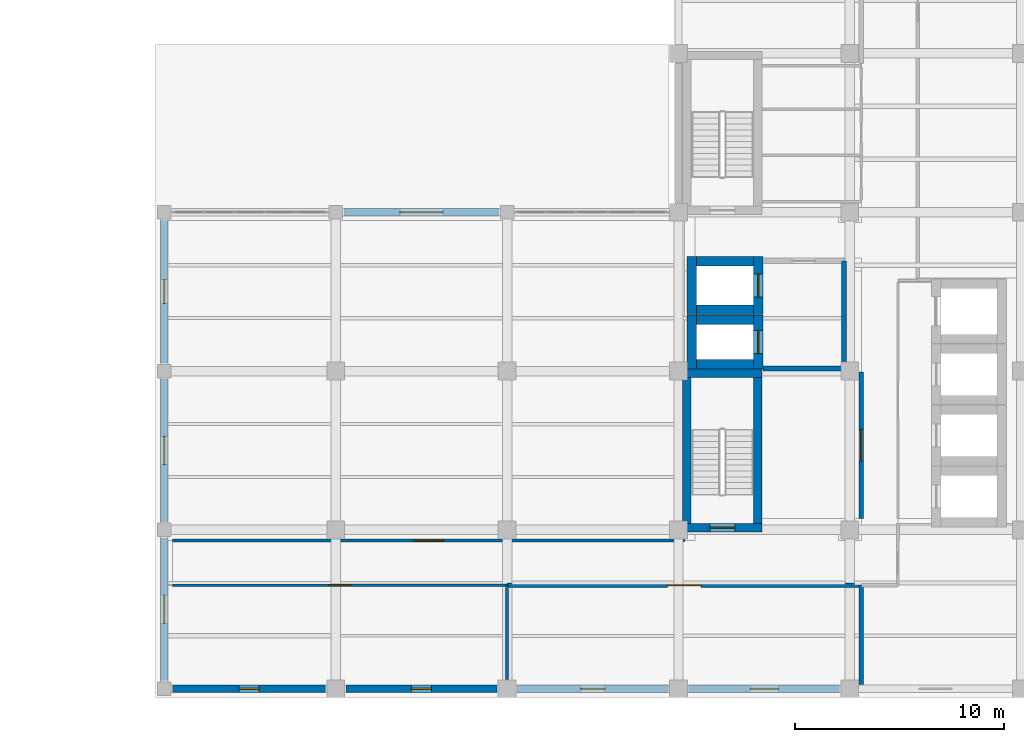
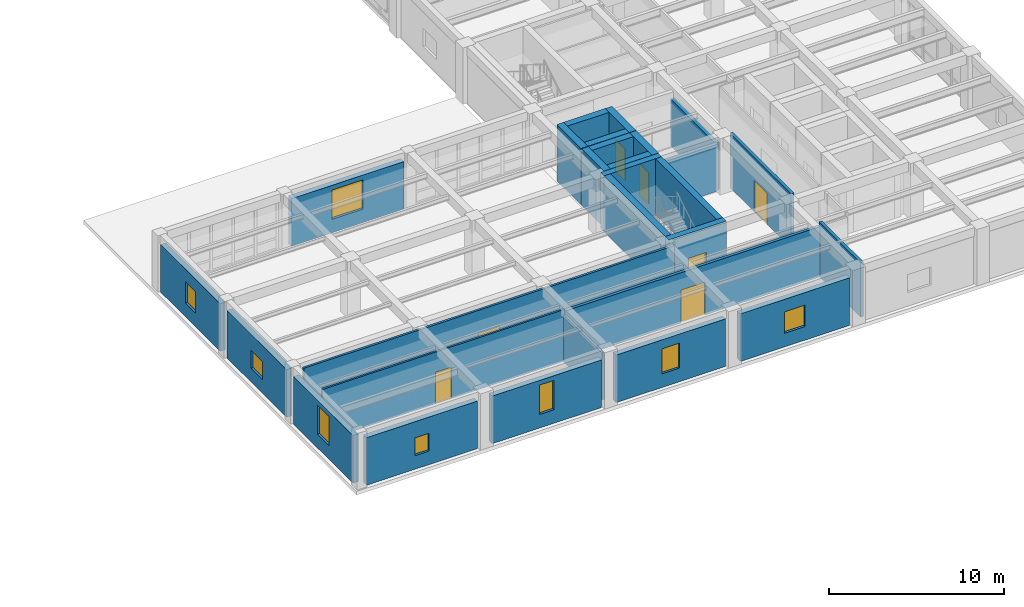
# One storey, part 11 of 22: 28 walls, 8 windows, 7 doors, 15 openings.
"""IFC4 building model written with IfcOpenShell, lengths in metres."""

import ifcopenshell
import ifcopenshell.guid

model = None  # the IFC model being written
_history = None  # IfcOwnerHistory: only IFC2X3 demands one
_inside = {}  # id of a spatial element -> (the spatial element, [elements in it])
_under = {}  # id of a project, library or spatial element -> (it, [spatial elements below it])
_declared = {}  # id of a project -> (the project, [libraries it declares])
_typed = {}  # id of a type object -> (the type object, [elements of that type])
_made_of = {}  # id of a material, layer set ... -> (it, [elements and type objects made of it])


def new_model(schema):
    """Start an empty IFC model of exactly this schema.

    Asked for "IFC4X3", IfcOpenShell would pick the latest addendum, in which some entities
    have other attributes; the version numbers below select the first issue.
    IFC2X3 requires an IfcOwnerHistory on every rooted entity: one is made here for all.
    """
    global model, _history
    if schema == "IFC4X3":
        model = ifcopenshell.file(schema_version=(4, 3, 0, 0))
    else:
        model = ifcopenshell.file(schema=schema)
    _inside.clear()
    _under.clear()
    _declared.clear()
    _typed.clear()
    _made_of.clear()
    _history = None
    if model.schema == "IFC2X3":
        org = make("IfcOrganization", Name="unknown")
        user = make(
            "IfcPersonAndOrganization",
            ThePerson=make("IfcPerson", FamilyName="unknown"),
            TheOrganization=org,
        )
        app = make(
            "IfcApplication",
            ApplicationDeveloper=org,
            Version="unknown",
            ApplicationFullName="unknown",
            ApplicationIdentifier="unknown",
        )
        _history = make(
            "IfcOwnerHistory",
            OwningUser=user,
            OwningApplication=app,
            ChangeAction="ADDED",
            CreationDate=0,
        )
    return model


def make(cls, **values):
    """One entity of the class cls with the attributes given. An attribute that is None is left unset."""
    return model.create_entity(
        cls, **{name: value for name, value in values.items() if value is not None}
    )


def rooted(cls, **values):
    """An entity with a GlobalId (a new one), such as an element, a storey or a relation."""
    return make(cls, GlobalId=ifcopenshell.guid.new(), OwnerHistory=_history, **values)


def si_unit(unit_type, name, prefix=None):
    """IfcSIUnit, for example si_unit("LENGTHUNIT", "METRE", prefix="MILLI")."""
    return make("IfcSIUnit", UnitType=unit_type, Prefix=prefix, Name=name)


def assignment(units):
    """IfcUnitAssignment: the units of a project."""
    return None if units is None else make("IfcUnitAssignment", Units=units)


def point(xyz):
    """IfcCartesianPoint."""
    return None if xyz is None else make("IfcCartesianPoint", Coordinates=xyz)


def direction(xyz):
    """IfcDirection."""
    return None if xyz is None else make("IfcDirection", DirectionRatios=xyz)


def frame(location, z_axis=None, x_axis=None):
    """IfcAxis2Placement3D, a coordinate frame: its origin and axes. An axis left out is left unset."""
    return make(
        "IfcAxis2Placement3D",
        Location=point(location),
        Axis=direction(z_axis),
        RefDirection=direction(x_axis),
    )


def frame_2d(location, x_axis=None):
    """IfcAxis2Placement2D, a coordinate frame in the plane: its origin and x axis."""
    return make(
        "IfcAxis2Placement2D", Location=point(location), RefDirection=direction(x_axis)
    )


def origin():
    """The frame at (0, 0, 0) with its axes left unset."""
    return frame((0.0, 0.0, 0.0))


def place(relative_to, where):
    """IfcLocalPlacement: puts the frame where relative to a parent placement (None: the world)."""
    return make(
        "IfcLocalPlacement", PlacementRelTo=relative_to, RelativePlacement=where
    )


def context(
    kind, dimensions, precision=None, world=None, true_north=None, identifier=None
):
    """IfcGeometricRepresentationContext, for example the 3D "Model" context."""
    return make(
        "IfcGeometricRepresentationContext",
        ContextIdentifier=identifier,
        ContextType=kind,
        CoordinateSpaceDimension=dimensions,
        Precision=precision,
        WorldCoordinateSystem=world,
        TrueNorth=true_north,
    )


def subcontext(parent, identifier, kind, view, scale=None):
    """IfcGeometricRepresentationSubContext, for example "Body" below "Model"."""
    return make(
        "IfcGeometricRepresentationSubContext",
        ContextIdentifier=identifier,
        ContextType=kind,
        ParentContext=parent,
        TargetScale=scale,
        TargetView=view,
    )


def project(units=None, contexts=None):
    """IfcProject with its units and contexts."""
    return rooted(
        "IfcProject",
        Name="project",
        RepresentationContexts=contexts,
        UnitsInContext=assignment(units),
    )


def spatial(cls, under=None, at=None, **own):
    """A site, building, storey or space (cls), placed at a placement, below another one or the project."""
    s = rooted(cls, ObjectPlacement=at, **own)
    if under is not None:
        _under.setdefault(under.id(), (under, []))[1].append(s)
    return s


def profile(cls, at=None, kind="AREA", **sizes):
    """A parametric profile (cls). Its sizes go by their IFC names, for example OverallWidth=200.0."""
    return make(cls, ProfileType=kind, Position=at, **sizes)


def rectangle(**sizes):
    """IfcRectangleProfileDef."""
    return profile("IfcRectangleProfileDef", **sizes)


def extrude(swept, where, along, depth):
    """IfcExtrudedAreaSolid: the profile swept, set in the frame where, extruded along a direction by depth."""
    return make(
        "IfcExtrudedAreaSolid",
        SweptArea=swept,
        Position=where,
        ExtrudedDirection=direction(along),
        Depth=depth,
    )


def shape(context_of_items, identifier, shape_type, items):
    """IfcShapeRepresentation: the items that make up one representation, for example the "Body"."""
    return make(
        "IfcShapeRepresentation",
        ContextOfItems=context_of_items,
        RepresentationIdentifier=identifier,
        RepresentationType=shape_type,
        Items=items,
    )


def material(Name=None, Category=None):
    """IfcMaterial."""
    return make("IfcMaterial", Name=Name, Category=Category)


def layer(
    of_material, thickness, ventilated=None, Name=None, Category=None, Priority=None
):
    """IfcMaterialLayer: one layer of a wall or slab, of a material (None: an air gap)."""
    return make(
        "IfcMaterialLayer",
        Material=of_material,
        LayerThickness=thickness,
        IsVentilated=ventilated,
        Name=Name,
        Category=Category,
        Priority=Priority,
    )


def layer_set(layers, Name=None):
    """IfcMaterialLayerSet."""
    return make("IfcMaterialLayerSet", MaterialLayers=layers, LayerSetName=Name)


def made_of(thing, what):
    """Note that an element or type object is made of a material, layer set ...; save() writes the relation."""
    if what is not None:
        _made_of.setdefault(what.id(), (what, []))[1].append(thing)
    return thing


def type_object(cls, material=None, **own):
    """A type object (cls), such as IfcWallType, which elements share."""
    return made_of(rooted(cls, **own), material)


def element(
    cls,
    number,
    at=None,
    inside=None,
    cuts=None,
    type_object=None,
    material=None,
    context=None,
    identifier="Body",
    shape_type=None,
    held_by="IfcProductDefinitionShape",
    body=None,
    shapes=None,
    **own,
):
    """One element of the class cls, such as IfcWall. Its Tag is "e" and its number.

    at: its placement. inside: the storey or other place that contains it. cuts: it is an
    opening in that element (IfcRelVoidsElement). A single representation is given by context,
    identifier, shape_type and body (its items); several are given by shapes. held_by: the class
    of the entity that holds the representations. save() writes the other relations.
    """
    e = rooted(cls, Tag="e%d" % number, ObjectPlacement=at, **own)
    if body is not None:
        shapes = [shape(context, identifier, shape_type, body)]
    if shapes is not None:
        e.Representation = make(held_by, Representations=shapes)
    if inside is not None:
        _inside.setdefault(inside.id(), (inside, []))[1].append(e)
    if cuts is not None:
        rooted(
            "IfcRelVoidsElement", RelatingBuildingElement=cuts, RelatedOpeningElement=e
        )
    if type_object is not None:
        _typed.setdefault(type_object.id(), (type_object, []))[1].append(e)
    return made_of(e, material)


def fill(opening, filler):
    """IfcRelFillsElement: the door or window that sits in an opening."""
    return rooted(
        "IfcRelFillsElement",
        RelatingOpeningElement=opening,
        RelatedBuildingElement=filler,
    )


def aggregate(whole, parts):
    """IfcRelAggregates: a whole, such as a stair, and the parts it consists of."""
    return rooted("IfcRelAggregates", RelatingObject=whole, RelatedObjects=parts)


def save(model, path):
    """Write the relations noted so far, then the file.

    IfcRelAggregates (storeys below a building ...), IfcRelContainedInSpatialStructure (elements
    in a storey), IfcRelDefinesByType, IfcRelAssociatesMaterial and IfcRelDeclares: one each for
    every whole, place, type object, material and project.
    """
    for whole, parts in _under.values():
        aggregate(whole, parts)
    for where, things in _inside.values():
        rooted(
            "IfcRelContainedInSpatialStructure",
            RelatedElements=things,
            RelatingStructure=where,
        )
    for kind, things in _typed.values():
        rooted("IfcRelDefinesByType", RelatedObjects=things, RelatingType=kind)
    for what, things in _made_of.values():
        rooted("IfcRelAssociatesMaterial", RelatedObjects=things, RelatingMaterial=what)
    for by, libraries in _declared.values():
        rooted("IfcRelDeclares", RelatingContext=by, RelatedDefinitions=libraries)
    model.write(path)


model = new_model("IFC4")

# Units and contexts
model_context = context("Model", 3, precision=1e-05, world=origin(), true_north=direction((0.0, 1.0)))
body_context = subcontext(model_context, "Body", "Model", "MODEL_VIEW")
ifc_project = project(units=[si_unit("LENGTHUNIT", "METRE"), si_unit("AREAUNIT", "SQUARE_METRE"), si_unit("VOLUMEUNIT", "CUBIC_METRE"), si_unit("PLANEANGLEUNIT", "RADIAN"), si_unit("MASSUNIT", "GRAM", prefix="KILO")], contexts=[model_context])

# Site, building, storey
site_placement = place(None, origin())
site = spatial("IfcSite", under=ifc_project, at=site_placement, CompositionType="ELEMENT")
building_placement = place(site_placement, origin())
building = spatial("IfcBuilding", under=site, at=building_placement, Name="Qandaris Square Conservatory and Botanical Centre", CompositionType="ELEMENT")
storey_placement = place(building_placement, frame((0.0, 0.0, 19.800048828125)))
storey = spatial("IfcBuildingStorey", under=building, at=storey_placement, Name="L04", CompositionType="ELEMENT", Elevation=19.800048828125)

# Wall, opening, door
ifc_material_1 = material(Name="Gypsum Plasterboard", Category="gypsum")
ifc_layer_1 = layer(ifc_material_1, 0.14990234375)
ifc_layer_set_1 = layer_set([ifc_layer_1], Name="Gypsum Plasterboard")
wall_type_1 = type_object("IfcWallType", Name="Acoustic Laboratory Partition 150mm", PredefinedType="PARTITIONING", material=ifc_layer_set_1)
wall_1_placement = place(storey_placement, frame((115.0, 23.699951171875, 0.0), z_axis=(0.0, 0.0, 1.0), x_axis=(1.0, 0.0, 0.0)))
wall_1 = element("IfcWall", 1, at=wall_1_placement, inside=storey, type_object=wall_type_1, Name="Interior Partition IW-L04-0207", PredefinedType="PARTITIONING", context=body_context, shape_type="SweptSolid", body=[
    extrude(rectangle(XDim=24.5, YDim=0.14990234375, at=frame_2d((12.25, 0.0))), origin(), (0.0, 0.0, 1.0), 3.804931640625),
])
opening_1_placement = place(wall_1_placement, frame((11.550048828125, 0.0, 0.0)))
opening_1 = element("IfcOpeningElement", 2, at=opening_1_placement, cuts=wall_1, Name="Opening D-LAB1", PredefinedType="OPENING", context=body_context, shape_type="SweptSolid", body=[
    extrude(rectangle(XDim=1.39990234375, YDim=2.199951171875, at=frame_2d((0.699951171875, 1.10009765625))), frame((0.0, 0.0869140625, 0.0), z_axis=(0.0, -1.0, 0.0), x_axis=(1.0, 0.0, 0.0)), (0.0, 0.0, 1.0), 0.173828125),
])
ifc_material_2 = material(Name="Engineered Oak Timber", Category="wood")
door_type_1 = type_object("IfcDoorType", Name="Research Laboratory Leaf-and-Half Door 1400x2200", OperationType="DOUBLE_DOOR_SINGLE_SWING", PredefinedType="DOOR", material=ifc_material_2)
door_1_placement = place(opening_1_placement, frame((1.39990234375, 0.0, 0.0), z_axis=(0.0, 0.0, 1.0), x_axis=(-1.0, 0.0, 0.0)))
door_1 = element("IfcDoor", 3, at=door_1_placement, inside=storey, type_object=door_type_1, Name="DR-0179 Spore Viability Research Laboratory Door", OperationType="DOUBLE_DOOR_SINGLE_SWING", OverallHeight=2.199951171875, OverallWidth=1.39990234375, PredefinedType="DOOR", context=body_context, shape_type="SweptSolid", body=[
    extrude(rectangle(XDim=1.39990234375, YDim=2.199951171875, at=frame_2d((0.699951171875, 1.10009765625))), frame((0.0, 0.02490234375, 0.0), z_axis=(0.0, -1.0, 0.0), x_axis=(1.0, 0.0, 0.0)), (0.0, 0.0, 1.0), 0.050048828125),
])
fill(opening_1, door_1)

# Wall
wall_2_placement = place(storey_placement, frame((131.0, 21.550048828125, 0.0), z_axis=(0.0, 0.0, 1.0), x_axis=(0.0, -1.0, 0.0)))
element("IfcWall", 4, at=wall_2_placement, inside=storey, type_object=wall_type_1, Name="Interior Partition IW-L04-0208", PredefinedType="PARTITIONING", context=body_context, shape_type="SweptSolid", body=[
    extrude(rectangle(XDim=4.505126953125, YDim=0.14990234375, at=frame_2d((2.25244140625, 0.0))), origin(), (0.0, 0.0, 1.0), 3.27490234375),
])

# Wall, opening, window
ifc_material_3 = material(Name="Precast concrete C40/50", Category="concrete")
ifc_layer_2 = layer(ifc_material_3, 0.360107421875)
ifc_layer_set_2 = layer_set([ifc_layer_2], Name="Precast concrete C40/50")
wall_type_2 = type_object("IfcWallType", Name="Architectural Precast Cladding Wall 360mm", PredefinedType="SOLIDWALL", material=ifc_layer_set_2)
wall_3_placement = place(storey_placement, frame((114.985107421875, 16.60009765625, 0.0), z_axis=(0.0, 0.0, 1.0), x_axis=(1.0, 0.0, 0.0)))
wall_3 = element("IfcWall", 5, at=wall_3_placement, inside=storey, type_object=wall_type_2, Name="Exterior Wall EW-TWR-L04-1-1", PredefinedType="SOLIDWALL", context=body_context, shape_type="SweptSolid", body=[
    extrude(rectangle(XDim=7.329833984375, YDim=0.360107421875, at=frame_2d((3.6650390625, 0.0))), origin(), (0.0, 0.0, 1.0), 3.324951171875),
])
opening_2_placement = place(wall_3_placement, frame((3.18994140625, 0.0, 0.949951171875)))
opening_2 = element("IfcOpeningElement", 6, at=opening_2_placement, cuts=wall_3, Name="Opening WN-13", PredefinedType="OPENING", context=body_context, shape_type="SweptSolid", body=[
    extrude(rectangle(XDim=0.949951171875, YDim=1.25, at=frame_2d((0.47509765625, 0.625))), frame((0.0, 0.19189453125, 0.0), z_axis=(0.0, -1.0, 0.0), x_axis=(1.0, 0.0, 0.0)), (0.0, 0.0, 1.0), 0.384033203125),
])
ifc_material_4 = material(Name="Tempered Low-E Glass", Category="glass")
window_type_1 = type_object("IfcWindowType", Name="Solar Control Window 950x1250", PartitioningType="SINGLE_PANEL", PredefinedType="WINDOW", material=ifc_material_4)
window_1_placement = place(opening_2_placement, origin())
window_1 = element("IfcWindow", 7, at=window_1_placement, inside=storey, type_object=window_type_1, Name="Window EW-TWR-L04-1-1", OverallHeight=1.25, OverallWidth=0.949951171875, PartitioningType="SINGLE_PANEL", PredefinedType="WINDOW", context=body_context, shape_type="SweptSolid", body=[
    extrude(rectangle(XDim=0.949951171875, YDim=1.25, at=frame_2d((0.47509765625, 0.625))), frame((0.0, 0.030029296875, 0.0), z_axis=(0.0, -1.0, 0.0), x_axis=(1.0, 0.0, 0.0)), (0.0, 0.0, 1.0), 0.06005859375),
])
fill(opening_2, window_1)

wall_4_placement = place(storey_placement, frame((123.284912109375, 16.60009765625, 0.0), z_axis=(0.0, 0.0, 1.0), x_axis=(1.0, 0.0, 0.0)))
wall_4 = element("IfcWall", 8, at=wall_4_placement, inside=storey, type_object=wall_type_2, Name="Exterior Wall EW-TWR-L04-1-2", PredefinedType="SOLIDWALL", context=body_context, shape_type="SweptSolid", body=[
    extrude(rectangle(XDim=7.22998046875, YDim=0.360107421875, at=frame_2d((3.614990234375, 0.0))), origin(), (0.0, 0.0, 1.0), 3.324951171875),
])
opening_3_placement = place(wall_4_placement, frame((3.139892578125, 0.0, 0.949951171875)))
opening_3 = element("IfcOpeningElement", 9, at=opening_3_placement, cuts=wall_4, Name="Opening WN-16", PredefinedType="OPENING", context=body_context, shape_type="SweptSolid", body=[
    extrude(rectangle(XDim=0.949951171875, YDim=2.050048828125, at=frame_2d((0.47509765625, 1.02490234375))), frame((0.0, 0.19189453125, 0.0), z_axis=(0.0, -1.0, 0.0), x_axis=(1.0, 0.0, 0.0)), (0.0, 0.0, 1.0), 0.384033203125),
])
window_type_2 = type_object("IfcWindowType", Name="Solar Control Window 950x2050", PartitioningType="SINGLE_PANEL", PredefinedType="WINDOW", material=ifc_material_4)
window_2_placement = place(opening_3_placement, origin())
window_2 = element("IfcWindow", 10, at=window_2_placement, inside=storey, type_object=window_type_2, Name="Window EW-TWR-L04-1-2", OverallHeight=2.050048828125, OverallWidth=0.949951171875, PartitioningType="SINGLE_PANEL", PredefinedType="WINDOW", context=body_context, shape_type="SweptSolid", body=[
    extrude(rectangle(XDim=0.949951171875, YDim=2.050048828125, at=frame_2d((0.47509765625, 1.02490234375))), frame((0.0, 0.030029296875, 0.0), z_axis=(0.0, -1.0, 0.0), x_axis=(1.0, 0.0, 0.0)), (0.0, 0.0, 1.0), 0.06005859375),
])
fill(opening_3, window_2)

wall_5_placement = place(storey_placement, frame((131.485107421875, 16.60009765625, 0.0), z_axis=(0.0, 0.0, 1.0), x_axis=(1.0, 0.0, 0.0)))
wall_5 = element("IfcWall", 11, at=wall_5_placement, inside=storey, type_object=wall_type_2, Name="Exterior Wall EW-TWR-L04-1-3", PredefinedType="SOLIDWALL", context=body_context, shape_type="SweptSolid", body=[
    extrude(rectangle(XDim=7.22998046875, YDim=0.360107421875, at=frame_2d((3.614990234375, 0.0))), origin(), (0.0, 0.0, 1.0), 3.324951171875),
])
opening_4_placement = place(wall_5_placement, frame((3.0400390625, 0.0, 0.949951171875)))
opening_4 = element("IfcOpeningElement", 12, at=opening_4_placement, cuts=wall_5, Name="Opening WN-19", PredefinedType="OPENING", context=body_context, shape_type="SweptSolid", body=[
    extrude(rectangle(XDim=1.14990234375, YDim=1.75, at=frame_2d((0.574951171875, 0.875))), frame((0.0, 0.19189453125, 0.0), z_axis=(0.0, -1.0, 0.0), x_axis=(1.0, 0.0, 0.0)), (0.0, 0.0, 1.0), 0.384033203125),
])
window_type_3 = type_object("IfcWindowType", Name="Solar Control Window 1150x1750", PartitioningType="SINGLE_PANEL", PredefinedType="WINDOW", material=ifc_material_4)
window_3_placement = place(opening_4_placement, origin())
window_3 = element("IfcWindow", 13, at=window_3_placement, inside=storey, type_object=window_type_3, Name="Window EW-TWR-L04-1-3", OverallHeight=1.75, OverallWidth=1.14990234375, PartitioningType="SINGLE_PANEL", PredefinedType="WINDOW", context=body_context, shape_type="SweptSolid", body=[
    extrude(rectangle(XDim=1.14990234375, YDim=1.75, at=frame_2d((0.574951171875, 0.875))), frame((0.0, 0.030029296875, 0.0), z_axis=(0.0, -1.0, 0.0), x_axis=(1.0, 0.0, 0.0)), (0.0, 0.0, 1.0), 0.06005859375),
])
fill(opening_4, window_3)

wall_6_placement = place(storey_placement, frame((139.68505859375, 16.60009765625, 0.0), z_axis=(0.0, 0.0, 1.0), x_axis=(1.0, 0.0, 0.0)))
wall_6 = element("IfcWall", 14, at=wall_6_placement, inside=storey, type_object=wall_type_2, Name="Exterior Wall EW-TWR-L04-1-4", PredefinedType="SOLIDWALL", context=body_context, shape_type="SweptSolid", body=[
    extrude(rectangle(XDim=7.22998046875, YDim=0.360107421875, at=frame_2d((3.614990234375, 0.0))), origin(), (0.0, 0.0, 1.0), 3.324951171875),
])
opening_5_placement = place(wall_6_placement, frame((2.93994140625, 0.0, 0.949951171875)))
opening_5 = element("IfcOpeningElement", 15, at=opening_5_placement, cuts=wall_6, Name="Opening WN-22", PredefinedType="OPENING", context=body_context, shape_type="SweptSolid", body=[
    extrude(rectangle(XDim=1.35009765625, YDim=1.5, at=frame_2d((0.675048828125, 0.75))), frame((0.0, 0.19189453125, 0.0), z_axis=(0.0, -1.0, 0.0), x_axis=(1.0, 0.0, 0.0)), (0.0, 0.0, 1.0), 0.384033203125),
])
window_type_4 = type_object("IfcWindowType", Name="Solar Control Window 1350x1500", PartitioningType="SINGLE_PANEL", PredefinedType="WINDOW", material=ifc_material_4)
window_4_placement = place(opening_5_placement, origin())
window_4 = element("IfcWindow", 16, at=window_4_placement, inside=storey, type_object=window_type_4, Name="Window EW-TWR-L04-1-4", OverallHeight=1.5, OverallWidth=1.35009765625, PartitioningType="SINGLE_PANEL", PredefinedType="WINDOW", context=body_context, shape_type="SweptSolid", body=[
    extrude(rectangle(XDim=1.35009765625, YDim=1.5, at=frame_2d((0.675048828125, 0.75))), frame((0.0, 0.030029296875, 0.0), z_axis=(0.0, -1.0, 0.0), x_axis=(1.0, 0.0, 0.0)), (0.0, 0.0, 1.0), 0.06005859375),
])
fill(opening_5, window_4)

wall_7_placement = place(storey_placement, frame((130.614990234375, 39.39990234375, 0.0), z_axis=(0.0, 0.0, 1.0), x_axis=(-1.0, 0.0, 0.0)))
wall_7 = element("IfcWall", 17, at=wall_7_placement, inside=storey, type_object=wall_type_2, Name="Exterior Wall EW-TWR-L04-5-2", PredefinedType="SOLIDWALL", context=body_context, shape_type="SweptSolid", body=[
    extrude(rectangle(XDim=7.429931640625, YDim=0.360107421875, at=frame_2d((3.71484375, 0.0))), origin(), (0.0, 0.0, 1.0), 3.324951171875),
])
opening_6_placement = place(wall_7_placement, frame((2.68994140625, 0.0, 0.949951171875)))
opening_6 = element("IfcOpeningElement", 18, at=opening_6_placement, cuts=wall_7, Name="Opening WN-36", PredefinedType="OPENING", context=body_context, shape_type="SweptSolid", body=[
    extrude(rectangle(XDim=2.050048828125, YDim=2.050048828125, at=frame_2d((1.02490234375, 1.02490234375))), frame((0.0, 0.19189453125, 0.0), z_axis=(0.0, -1.0, 0.0), x_axis=(1.0, 0.0, 0.0)), (0.0, 0.0, 1.0), 0.384033203125),
])
window_type_5 = type_object("IfcWindowType", Name="Solar Control Window 2050x2050", PartitioningType="DOUBLE_PANEL_VERTICAL", PredefinedType="WINDOW", material=ifc_material_4)
window_5_placement = place(opening_6_placement, origin())
window_5 = element("IfcWindow", 19, at=window_5_placement, inside=storey, type_object=window_type_5, Name="Window EW-TWR-L04-5-2", OverallHeight=2.050048828125, OverallWidth=2.050048828125, PartitioningType="DOUBLE_PANEL_VERTICAL", PredefinedType="WINDOW", context=body_context, shape_type="SweptSolid", body=[
    extrude(rectangle(XDim=2.050048828125, YDim=2.050048828125, at=frame_2d((1.02490234375, 1.02490234375))), frame((0.0, 0.030029296875, 0.0), z_axis=(0.0, -1.0, 0.0), x_axis=(1.0, 0.0, 0.0)), (0.0, 0.0, 1.0), 0.06005859375),
])
fill(opening_6, window_5)

wall_8_placement = place(storey_placement, frame((114.60009765625, 39.014892578125, 0.0), z_axis=(0.0, 0.0, 1.0), x_axis=(0.0, -1.0, 0.0)))
wall_8 = element("IfcWall", 20, at=wall_8_placement, inside=storey, type_object=wall_type_2, Name="Exterior Wall EW-TWR-L04-6-1", PredefinedType="SOLIDWALL", context=body_context, shape_type="SweptSolid", body=[
    extrude(rectangle(XDim=6.829833984375, YDim=0.360107421875, at=frame_2d((3.4150390625, 0.0))), origin(), (0.0, 0.0, 1.0), 3.324951171875),
])
opening_7_placement = place(wall_8_placement, frame((2.840087890625, 0.0, 0.949951171875)))
opening_7 = element("IfcOpeningElement", 21, at=opening_7_placement, cuts=wall_8, Name="Opening WN-18", PredefinedType="OPENING", context=body_context, shape_type="SweptSolid", body=[
    extrude(rectangle(XDim=1.14990234375, YDim=1.5, at=frame_2d((0.574951171875, 0.75))), frame((0.0, 0.19189453125, 0.0), z_axis=(0.0, -1.0, 0.0), x_axis=(1.0, 0.0, 0.0)), (0.0, 0.0, 1.0), 0.384033203125),
])
window_type_6 = type_object("IfcWindowType", Name="Solar Control Window 1150x1500", PartitioningType="SINGLE_PANEL", PredefinedType="WINDOW", material=ifc_material_4)
window_6_placement = place(opening_7_placement, origin())
window_6 = element("IfcWindow", 22, at=window_6_placement, inside=storey, type_object=window_type_6, Name="Window EW-TWR-L04-6-1", OverallHeight=1.5, OverallWidth=1.14990234375, PartitioningType="SINGLE_PANEL", PredefinedType="WINDOW", context=body_context, shape_type="SweptSolid", body=[
    extrude(rectangle(XDim=1.14990234375, YDim=1.5, at=frame_2d((0.574951171875, 0.75))), frame((0.0, 0.030029296875, 0.0), z_axis=(0.0, -1.0, 0.0), x_axis=(1.0, 0.0, 0.0)), (0.0, 0.0, 1.0), 0.06005859375),
])
fill(opening_7, window_6)

wall_9_placement = place(storey_placement, frame((114.60009765625, 31.4150390625, 0.0), z_axis=(0.0, 0.0, 1.0), x_axis=(0.0, -1.0, 0.0)))
wall_9 = element("IfcWall", 23, at=wall_9_placement, inside=storey, type_object=wall_type_2, Name="Exterior Wall EW-TWR-L04-6-2", PredefinedType="SOLIDWALL", context=body_context, shape_type="SweptSolid", body=[
    extrude(rectangle(XDim=6.830078125, YDim=0.360107421875, at=frame_2d((3.4150390625, 0.0))), origin(), (0.0, 0.0, 1.0), 3.324951171875),
])
opening_8_placement = place(wall_9_placement, frame((2.739990234375, 0.0, 0.949951171875)))
opening_8 = element("IfcOpeningElement", 24, at=opening_8_placement, cuts=wall_9, Name="Opening WN-21", PredefinedType="OPENING", context=body_context, shape_type="SweptSolid", body=[
    extrude(rectangle(XDim=1.35009765625, YDim=1.25, at=frame_2d((0.675048828125, 0.625))), frame((0.0, 0.19189453125, 0.0), z_axis=(0.0, -1.0, 0.0), x_axis=(1.0, 0.0, 0.0)), (0.0, 0.0, 1.0), 0.384033203125),
])
window_type_7 = type_object("IfcWindowType", Name="Solar Control Window 1350x1250", PartitioningType="SINGLE_PANEL", PredefinedType="WINDOW", material=ifc_material_4)
window_7_placement = place(opening_8_placement, origin())
window_7 = element("IfcWindow", 25, at=window_7_placement, inside=storey, type_object=window_type_7, Name="Window EW-TWR-L04-6-2", OverallHeight=1.25, OverallWidth=1.35009765625, PartitioningType="SINGLE_PANEL", PredefinedType="WINDOW", context=body_context, shape_type="SweptSolid", body=[
    extrude(rectangle(XDim=1.35009765625, YDim=1.25, at=frame_2d((0.675048828125, 0.625))), frame((0.0, 0.030029296875, 0.0), z_axis=(0.0, -1.0, 0.0), x_axis=(1.0, 0.0, 0.0)), (0.0, 0.0, 1.0), 0.06005859375),
])
fill(opening_8, window_7)

wall_10_placement = place(storey_placement, frame((114.60009765625, 23.81494140625, 0.0), z_axis=(0.0, 0.0, 1.0), x_axis=(0.0, -1.0, 0.0)))
wall_10 = element("IfcWall", 26, at=wall_10_placement, inside=storey, type_object=wall_type_2, Name="Exterior Wall EW-TWR-L04-6-3", PredefinedType="SOLIDWALL", context=body_context, shape_type="SweptSolid", body=[
    extrude(rectangle(XDim=6.829833984375, YDim=0.360107421875, at=frame_2d((3.4150390625, 0.0))), origin(), (0.0, 0.0, 1.0), 3.324951171875),
])
opening_9_placement = place(wall_10_placement, frame((2.739990234375, 0.0, 0.949951171875)))
opening_9 = element("IfcOpeningElement", 27, at=opening_9_placement, cuts=wall_10, Name="Opening WN-24", PredefinedType="OPENING", context=body_context, shape_type="SweptSolid", body=[
    extrude(rectangle(XDim=1.35009765625, YDim=2.050048828125, at=frame_2d((0.675048828125, 1.02490234375))), frame((0.0, 0.19189453125, 0.0), z_axis=(0.0, -1.0, 0.0), x_axis=(1.0, 0.0, 0.0)), (0.0, 0.0, 1.0), 0.384033203125),
])
window_type_8 = type_object("IfcWindowType", Name="Solar Control Window 1350x2050", PartitioningType="SINGLE_PANEL", PredefinedType="WINDOW", material=ifc_material_4)
window_8_placement = place(opening_9_placement, origin())
window_8 = element("IfcWindow", 28, at=window_8_placement, inside=storey, type_object=window_type_8, Name="Window EW-TWR-L04-6-3", OverallHeight=2.050048828125, OverallWidth=1.35009765625, PartitioningType="SINGLE_PANEL", PredefinedType="WINDOW", context=body_context, shape_type="SweptSolid", body=[
    extrude(rectangle(XDim=1.35009765625, YDim=2.050048828125, at=frame_2d((0.675048828125, 1.02490234375))), frame((0.0, 0.030029296875, 0.0), z_axis=(0.0, -1.0, 0.0), x_axis=(1.0, 0.0, 0.0)), (0.0, 0.0, 1.0), 0.06005859375),
])
fill(opening_9, window_8)

# Walls
ifc_material_5 = material(Name="Concrete C40/50", Category="concrete")
ifc_layer_3 = layer(ifc_material_5, 0.25)
ifc_layer_set_3 = layer_set([ifc_layer_3], Name="Concrete C40/50")
wall_type_3 = type_object("IfcWallType", Name="Firefighting Lobby Compartment Wall 250mm", PredefinedType="SOLIDWALL", material=ifc_layer_set_3)
wall_11_placement = place(storey_placement, frame((143.25, 31.925048828125, 0.0), z_axis=(0.0, 0.0, 1.0), x_axis=(1.0, 0.0, 0.0)))
element("IfcWall", 29, at=wall_11_placement, inside=storey, type_object=wall_type_3, Name="Firefighting Lobby Wall South (L04)", PredefinedType="SOLIDWALL", context=body_context, shape_type="SweptSolid", body=[
    extrude(rectangle(XDim=3.875, YDim=0.25, at=frame_2d((1.9375, 0.0))), origin(), (0.0, 0.0, 1.0), 3.27490234375),
])
wall_12_placement = place(storey_placement, frame((147.125, 31.925048828125, 0.0), z_axis=(0.0, 0.0, 1.0), x_axis=(0.0, 1.0, 0.0)))
element("IfcWall", 30, at=wall_12_placement, inside=storey, type_object=wall_type_3, Name="Firefighting Lobby Wall East (L04)", PredefinedType="SOLIDWALL", context=body_context, shape_type="SweptSolid", body=[
    extrude(rectangle(XDim=5.14990234375, YDim=0.25, at=frame_2d((2.574951171875, 0.0))), origin(), (0.0, 0.0, 1.0), 3.27490234375),
])

# Wall, opening, door
ifc_layer_4 = layer(ifc_material_5, 0.199951171875)
ifc_layer_set_4 = layer_set([ifc_layer_4], Name="Concrete C40/50")
wall_type_4 = type_object("IfcWallType", Name="Herbarium & Plant Compartment Wall 200mm", PredefinedType="PARTITIONING", material=ifc_layer_set_4)
wall_13_placement = place(storey_placement, frame((147.949951171875, 31.75, 0.0), z_axis=(0.0, 0.0, 1.0), x_axis=(0.0, -1.0, 0.0)))
wall_13 = element("IfcWall", 31, at=wall_13_placement, inside=storey, type_object=wall_type_4, Name="Interior Partition IW-L04-0188", PredefinedType="PARTITIONING", context=body_context, shape_type="SweptSolid", body=[
    extrude(rectangle(XDim=7.0, YDim=0.199951171875, at=frame_2d((3.5, 0.0))), origin(), (0.0, 0.0, 1.0), 3.804931640625),
])
opening_10_placement = place(wall_13_placement, frame((2.75, 0.0, 0.0)))
opening_10 = element("IfcOpeningElement", 32, at=opening_10_placement, cuts=wall_13, Name="Opening D-PLT1", PredefinedType="OPENING", context=body_context, shape_type="SweptSolid", body=[
    extrude(rectangle(XDim=1.5, YDim=2.199951171875, at=frame_2d((0.75, 1.10009765625))), frame((0.0, 0.11181640625, 0.0), z_axis=(0.0, -1.0, 0.0), x_axis=(1.0, 0.0, 0.0)), (0.0, 0.0, 1.0), 0.223876953125),
])
ifc_material_6 = material(Name="Steel S355", Category="steel")
door_type_2 = type_object("IfcDoorType", Name="Plant & Riser Double Fire Door 1500x2200", OperationType="DOUBLE_DOOR_SINGLE_SWING", PredefinedType="DOOR", material=ifc_material_6)
door_2_placement = place(opening_10_placement, origin())
door_2 = element("IfcDoor", 33, at=door_2_placement, inside=storey, type_object=door_type_2, Name="DR-0184 Electrical and Telecom Riser Room L04 Door", OperationType="DOUBLE_DOOR_SINGLE_SWING", OverallHeight=2.199951171875, OverallWidth=1.5, PredefinedType="DOOR", context=body_context, shape_type="SweptSolid", body=[
    extrude(rectangle(XDim=1.5, YDim=2.199951171875, at=frame_2d((0.75, 1.10009765625))), frame((0.0, 0.02490234375, 0.0), z_axis=(0.0, -1.0, 0.0), x_axis=(1.0, 0.0, 0.0)), (0.0, 0.0, 1.0), 0.050048828125),
])
fill(opening_10, door_2)

wall_14_placement = place(storey_placement, frame((147.949951171875, 21.550048828125, 0.0), z_axis=(0.0, 0.0, 1.0), x_axis=(-1.0, 0.0, 0.0)))
wall_14 = element("IfcWall", 34, at=wall_14_placement, inside=storey, type_object=wall_type_4, Name="Interior Partition IW-L04-0198", PredefinedType="PARTITIONING", context=body_context, shape_type="SweptSolid", body=[
    extrude(rectangle(XDim=16.949951171875, YDim=0.199951171875, at=frame_2d((8.47509765625, 0.0))), origin(), (0.0, 0.0, 1.0), 3.514892578125),
])
opening_11_placement = place(wall_14_placement, frame((7.675048828125, 0.0, 0.0)))
opening_11 = element("IfcOpeningElement", 35, at=opening_11_placement, cuts=wall_14, Name="Opening D-HRB1", PredefinedType="OPENING", context=body_context, shape_type="SweptSolid", body=[
    extrude(rectangle(XDim=1.60009765625, YDim=2.300048828125, at=frame_2d((0.800048828125, 1.14990234375))), frame((0.0, 0.11181640625, 0.0), z_axis=(0.0, -1.0, 0.0), x_axis=(1.0, 0.0, 0.0)), (0.0, 0.0, 1.0), 0.223876953125),
])
door_type_3 = type_object("IfcDoorType", Name="Herbarium Sealable Specimen Double Door 1600x2300", OperationType="DOUBLE_DOOR_SINGLE_SWING", PredefinedType="DOOR", material=ifc_material_6)
door_3_placement = place(opening_11_placement, frame((1.60009765625, 0.0, 0.0), z_axis=(0.0, 0.0, 1.0), x_axis=(-1.0, 0.0, 0.0)))
door_3 = element("IfcDoor", 36, at=door_3_placement, inside=storey, type_object=door_type_3, Name="DR-0176 Ethnobotany Herbarium Suite Door", OperationType="DOUBLE_DOOR_SINGLE_SWING", OverallHeight=2.300048828125, OverallWidth=1.60009765625, PredefinedType="DOOR", context=body_context, shape_type="SweptSolid", body=[
    extrude(rectangle(XDim=1.60009765625, YDim=2.300048828125, at=frame_2d((0.800048828125, 1.14990234375))), frame((0.0, 0.02490234375, 0.0), z_axis=(0.0, -1.0, 0.0), x_axis=(1.0, 0.0, 0.0)), (0.0, 0.0, 1.0), 0.050048828125),
])
fill(opening_11, door_3)

# Walls
wall_15_placement = place(storey_placement, frame((147.949951171875, 21.550048828125, 0.0), z_axis=(0.0, 0.0, 1.0), x_axis=(0.0, -1.0, 0.0)))
element("IfcWall", 37, at=wall_15_placement, inside=storey, type_object=wall_type_4, Name="Interior Partition IW-L04-0209", PredefinedType="PARTITIONING", context=body_context, shape_type="SweptSolid", body=[
    extrude(rectangle(XDim=4.739990234375, YDim=0.199951171875, at=frame_2d((2.3701171875, 0.0))), origin(), (0.0, 0.0, 1.0), 3.804931640625),
])
ifc_material_7 = material(Name="Concrete C50/60", Category="concrete")
ifc_layer_5 = layer(ifc_material_7, 0.449951171875)
ifc_layer_set_5 = layer_set([ifc_layer_5], Name="Concrete C50/60")
wall_type_5 = type_object("IfcWallType", Name="RC Coupled Core Shear Wall 450mm", PredefinedType="SHEAR", material=ifc_layer_set_5)
for number, where, z_axis, x_axis, name in (
    (38, (140.06005859375, 32.135009765625, 0.0), (0.0, 0.0, 1.0), (1.0, 0.0, 0.0), "Lift FFL1 Shaft Wall South (L04)"),
    (39, (140.06005859375, 34.264892578125, 0.0), (0.0, 0.0, 1.0), (1.0, 0.0, 0.0), "Lift FFL1 Shaft Wall North (L04)"),
):
    element("IfcWall", number, at=place(storey_placement, frame(where, z_axis=z_axis, x_axis=x_axis)), inside=storey, type_object=wall_type_5, Name=name, PredefinedType="SHEAR", context=body_context, shape_type="SweptSolid", body=[
        extrude(rectangle(XDim=2.739990234375, YDim=0.449951171875, at=frame_2d((1.3701171875, 0.0))), origin(), (0.0, 0.0, 1.0), 3.93994140625),
    ])
wall_16_placement = place(storey_placement, frame((139.8349609375, 31.909912109375, 0.0), z_axis=(0.0, 0.0, 1.0), x_axis=(0.0, 1.0, 0.0)))
element("IfcWall", 40, at=wall_16_placement, inside=storey, type_object=wall_type_5, Name="Lift FFL1 Shaft Wall West (L04)", PredefinedType="SHEAR", context=body_context, shape_type="SweptSolid", body=[
    extrude(rectangle(XDim=2.580078125, YDim=0.449951171875, at=frame_2d((1.2900390625, 0.0))), origin(), (0.0, 0.0, 1.0), 3.93994140625),
])

# Wall, opening, door
wall_17_placement = place(storey_placement, frame((143.02490234375, 31.909912109375, 0.0), z_axis=(0.0, 0.0, 1.0), x_axis=(0.0, 1.0, 0.0)))
wall_17 = element("IfcWall", 41, at=wall_17_placement, inside=storey, type_object=wall_type_5, Name="Lift FFL1 Shaft Wall East (L04)", PredefinedType="SHEAR", context=body_context, shape_type="SweptSolid", body=[
    extrude(rectangle(XDim=2.580078125, YDim=0.449951171875, at=frame_2d((1.2900390625, 0.0))), origin(), (0.0, 0.0, 1.0), 3.93994140625),
])
opening_12_placement = place(wall_17_placement, frame((0.739990234375, 0.0, 0.0)))
opening_12 = element("IfcOpeningElement", 42, at=opening_12_placement, cuts=wall_17, Name="Opening LD-FFL", PredefinedType="OPENING", context=body_context, shape_type="SweptSolid", body=[
    extrude(rectangle(XDim=1.10009765625, YDim=2.199951171875, at=frame_2d((0.550048828125, 1.10009765625))), frame((0.0, 0.23681640625, 0.0), z_axis=(0.0, -1.0, 0.0), x_axis=(1.0, 0.0, 0.0)), (0.0, 0.0, 1.0), 0.473876953125),
])
door_type_4 = type_object("IfcDoorType", Name="Firefighting Lift Sliding Landing Door 1100x2200", OperationType="DOUBLE_DOOR_SLIDING", PredefinedType="DOOR", material=ifc_material_6)
door_4_placement = place(opening_12_placement, origin())
door_4 = element("IfcDoor", 43, at=door_4_placement, inside=storey, type_object=door_type_4, Name="DR-0192 Lift FFL1 Landing Door (L04)", OperationType="DOUBLE_DOOR_SLIDING", OverallHeight=2.199951171875, OverallWidth=1.10009765625, PredefinedType="DOOR", context=body_context, shape_type="SweptSolid", body=[
    extrude(rectangle(XDim=1.10009765625, YDim=2.199951171875, at=frame_2d((0.550048828125, 1.10009765625))), frame((0.0, 0.02490234375, 0.0), z_axis=(0.0, -1.0, 0.0), x_axis=(1.0, 0.0, 0.0)), (0.0, 0.0, 1.0), 0.050048828125),
])
fill(opening_12, door_4)

# Walls
for number, where, z_axis, x_axis, name in (
    (44, (140.06005859375, 34.735107421875, 0.0), (0.0, 0.0, 1.0), (1.0, 0.0, 0.0), "Lift FFL2 Shaft Wall South (L04)"),
    (45, (140.06005859375, 37.06494140625, 0.0), (0.0, 0.0, 1.0), (1.0, 0.0, 0.0), "Lift FFL2 Shaft Wall North (L04)"),
):
    element("IfcWall", number, at=place(storey_placement, frame(where, z_axis=z_axis, x_axis=x_axis)), inside=storey, type_object=wall_type_5, Name=name, PredefinedType="SHEAR", context=body_context, shape_type="SweptSolid", body=[
        extrude(rectangle(XDim=2.739990234375, YDim=0.449951171875, at=frame_2d((1.3701171875, 0.0))), origin(), (0.0, 0.0, 1.0), 3.93994140625),
    ])
wall_18_placement = place(storey_placement, frame((139.8349609375, 34.510009765625, 0.0), z_axis=(0.0, 0.0, 1.0), x_axis=(0.0, 1.0, 0.0)))
element("IfcWall", 46, at=wall_18_placement, inside=storey, type_object=wall_type_5, Name="Lift FFL2 Shaft Wall West (L04)", PredefinedType="SHEAR", context=body_context, shape_type="SweptSolid", body=[
    extrude(rectangle(XDim=2.780029296875, YDim=0.449951171875, at=frame_2d((1.39013671875, 0.0))), origin(), (0.0, 0.0, 1.0), 3.93994140625),
])

# Wall, opening, door
wall_19_placement = place(storey_placement, frame((143.02490234375, 34.510009765625, 0.0), z_axis=(0.0, 0.0, 1.0), x_axis=(0.0, 1.0, 0.0)))
wall_19 = element("IfcWall", 47, at=wall_19_placement, inside=storey, type_object=wall_type_5, Name="Lift FFL2 Shaft Wall East (L04)", PredefinedType="SHEAR", context=body_context, shape_type="SweptSolid", body=[
    extrude(rectangle(XDim=2.780029296875, YDim=0.449951171875, at=frame_2d((1.39013671875, 0.0))), origin(), (0.0, 0.0, 1.0), 3.93994140625),
])
opening_13_placement = place(wall_19_placement, frame((0.840087890625, 0.0, 0.0)))
opening_13 = element("IfcOpeningElement", 48, at=opening_13_placement, cuts=wall_19, Name="Opening LD-FFL", PredefinedType="OPENING", context=body_context, shape_type="SweptSolid", body=[
    extrude(rectangle(XDim=1.10009765625, YDim=2.199951171875, at=frame_2d((0.550048828125, 1.10009765625))), frame((0.0, 0.23681640625, 0.0), z_axis=(0.0, -1.0, 0.0), x_axis=(1.0, 0.0, 0.0)), (0.0, 0.0, 1.0), 0.473876953125),
])
door_5_placement = place(opening_13_placement, origin())
door_5 = element("IfcDoor", 49, at=door_5_placement, inside=storey, type_object=door_type_4, Name="DR-0193 Lift FFL2 Landing Door (L04)", OperationType="DOUBLE_DOOR_SLIDING", OverallHeight=2.199951171875, OverallWidth=1.10009765625, PredefinedType="DOOR", context=body_context, shape_type="SweptSolid", body=[
    extrude(rectangle(XDim=1.10009765625, YDim=2.199951171875, at=frame_2d((0.550048828125, 1.10009765625))), frame((0.0, 0.02490234375, 0.0), z_axis=(0.0, -1.0, 0.0), x_axis=(1.0, 0.0, 0.0)), (0.0, 0.0, 1.0), 0.050048828125),
])
fill(opening_13, door_5)

ifc_layer_6 = layer(ifc_material_7, 0.39990234375)
ifc_layer_set_6 = layer_set([ifc_layer_6], Name="Concrete C50/60")
wall_type_6 = type_object("IfcWallType", Name="RC Stair Core Shear Wall 400mm", PredefinedType="SHEAR", material=ifc_layer_set_6)
wall_20_placement = place(storey_placement, frame((139.39990234375, 24.300048828125, 0.0), z_axis=(0.0, 0.0, 1.0), x_axis=(1.0, 0.0, 0.0)))
wall_20 = element("IfcWall", 50, at=wall_20_placement, inside=storey, type_object=wall_type_6, Name="ST-1 Core Shear Wall South (L04)", PredefinedType="SHEAR", context=body_context, shape_type="SweptSolid", body=[
    extrude(rectangle(XDim=3.800048828125, YDim=0.39990234375, at=frame_2d((1.89990234375, 0.0))), origin(), (0.0, 0.0, 1.0), 3.93994140625),
])
opening_14_placement = place(wall_20_placement, frame((1.300048828125, 0.0, 0.0)))
opening_14 = element("IfcOpeningElement", 51, at=opening_14_placement, cuts=wall_20, Name="Opening D-ST1", PredefinedType="OPENING", context=body_context, shape_type="SweptSolid", body=[
    extrude(rectangle(XDim=1.199951171875, YDim=2.199951171875, at=frame_2d((0.60009765625, 1.10009765625))), frame((0.0, 0.2119140625, 0.0), z_axis=(0.0, -1.0, 0.0), x_axis=(1.0, 0.0, 0.0)), (0.0, 0.0, 1.0), 0.423828125),
])
door_type_5 = type_object("IfcDoorType", Name="Exit Stair Core Fire Door 1200x2200", OperationType="NOTDEFINED", PredefinedType="DOOR", material=ifc_material_6)
door_6_placement = place(opening_14_placement, origin())
door_6 = element("IfcDoor", 52, at=door_6_placement, inside=storey, type_object=door_type_5, Name="DR-0185 ST-1 Stair Core Door (L04)", OperationType="SINGLE_SWING_RIGHT", OverallHeight=2.199951171875, OverallWidth=1.199951171875, PredefinedType="DOOR", context=body_context, shape_type="SweptSolid", body=[
    extrude(rectangle(XDim=1.199951171875, YDim=2.199951171875, at=frame_2d((0.60009765625, 1.10009765625))), frame((0.0, 0.02490234375, 0.0), z_axis=(0.0, -1.0, 0.0), x_axis=(1.0, 0.0, 0.0)), (0.0, 0.0, 1.0), 0.050048828125),
])
fill(opening_14, door_6)

# Walls
wall_21_placement = place(storey_placement, frame((139.39990234375, 31.699951171875, 0.0), z_axis=(0.0, 0.0, 1.0), x_axis=(1.0, 0.0, 0.0)))
element("IfcWall", 53, at=wall_21_placement, inside=storey, type_object=wall_type_6, Name="ST-1 Core Shear Wall North (L04)", PredefinedType="SHEAR", context=body_context, shape_type="SweptSolid", body=[
    extrude(rectangle(XDim=3.800048828125, YDim=0.39990234375, at=frame_2d((1.89990234375, 0.0))), origin(), (0.0, 0.0, 1.0), 3.93994140625),
])
for number, where, z_axis, x_axis, name in (
    (54, (139.60009765625, 24.5, 0.0), (0.0, 0.0, 1.0), (0.0, 1.0, 0.0), "ST-1 Core Shear Wall West (L04)"),
    (55, (143.0, 24.5, 0.0), (0.0, 0.0, 1.0), (0.0, 1.0, 0.0), "ST-1 Core Shear Wall East (L04)"),
):
    element("IfcWall", number, at=place(storey_placement, frame(where, z_axis=z_axis, x_axis=x_axis)), inside=storey, type_object=wall_type_6, Name=name, PredefinedType="SHEAR", context=body_context, shape_type="SweptSolid", body=[
        extrude(rectangle(XDim=7.0, YDim=0.39990234375, at=frame_2d((3.5, 0.0))), origin(), (0.0, 0.0, 1.0), 3.93994140625),
    ])

# Wall, opening, door
ifc_layer_7 = layer(ifc_material_1, 0.1201171875)
ifc_layer_set_7 = layer_set([ifc_layer_7], Name="Gypsum Plasterboard")
wall_type_7 = type_object("IfcWallType", Name="Standard Research Partition 120mm", PredefinedType="PARTITIONING", material=ifc_layer_set_7)
wall_22_placement = place(storey_placement, frame((131.0, 21.550048828125, 0.0), z_axis=(0.0, 0.0, 1.0), x_axis=(-1.0, 0.0, 0.0)))
wall_22 = element("IfcWall", 56, at=wall_22_placement, inside=storey, type_object=wall_type_7, Name="Interior Partition IW-L04-0197", PredefinedType="PARTITIONING", context=body_context, shape_type="SweptSolid", body=[
    extrude(rectangle(XDim=16.0, YDim=0.1201171875, at=frame_2d((8.0, 0.0))), origin(), (0.0, 0.0, 1.0), 3.614990234375),
])
opening_15_placement = place(wall_22_placement, frame((7.47509765625, 0.0, 0.0)))
opening_15 = element("IfcOpeningElement", 57, at=opening_15_placement, cuts=wall_22, Name="Opening D-LAB2", PredefinedType="OPENING", context=body_context, shape_type="SweptSolid", body=[
    extrude(rectangle(XDim=1.050048828125, YDim=2.199951171875, at=frame_2d((0.52490234375, 1.10009765625))), frame((0.0, 0.072021484375, 0.0), z_axis=(0.0, -1.0, 0.0), x_axis=(1.0, 0.0, 0.0)), (0.0, 0.0, 1.0), 0.14404296875),
])
door_type_6 = type_object("IfcDoorType", Name="Analytical Laboratory Single Door 1050x2200", OperationType="NOTDEFINED", PredefinedType="DOOR", material=ifc_material_2)
door_7_placement = place(opening_15_placement, origin())
door_7 = element("IfcDoor", 58, at=door_7_placement, inside=storey, type_object=door_type_6, Name="DR-0180 Halophyte Salt-Tolerance Research Laboratory Door", OperationType="SINGLE_SWING_RIGHT", OverallHeight=2.199951171875, OverallWidth=1.050048828125, PredefinedType="DOOR", context=body_context, shape_type="SweptSolid", body=[
    extrude(rectangle(XDim=1.050048828125, YDim=2.199951171875, at=frame_2d((0.52490234375, 1.10009765625))), frame((0.0, 0.02490234375, 0.0), z_axis=(0.0, -1.0, 0.0), x_axis=(1.0, 0.0, 0.0)), (0.0, 0.0, 1.0), 0.050048828125),
])
fill(opening_15, door_7)

save(model, "model.ifc")
